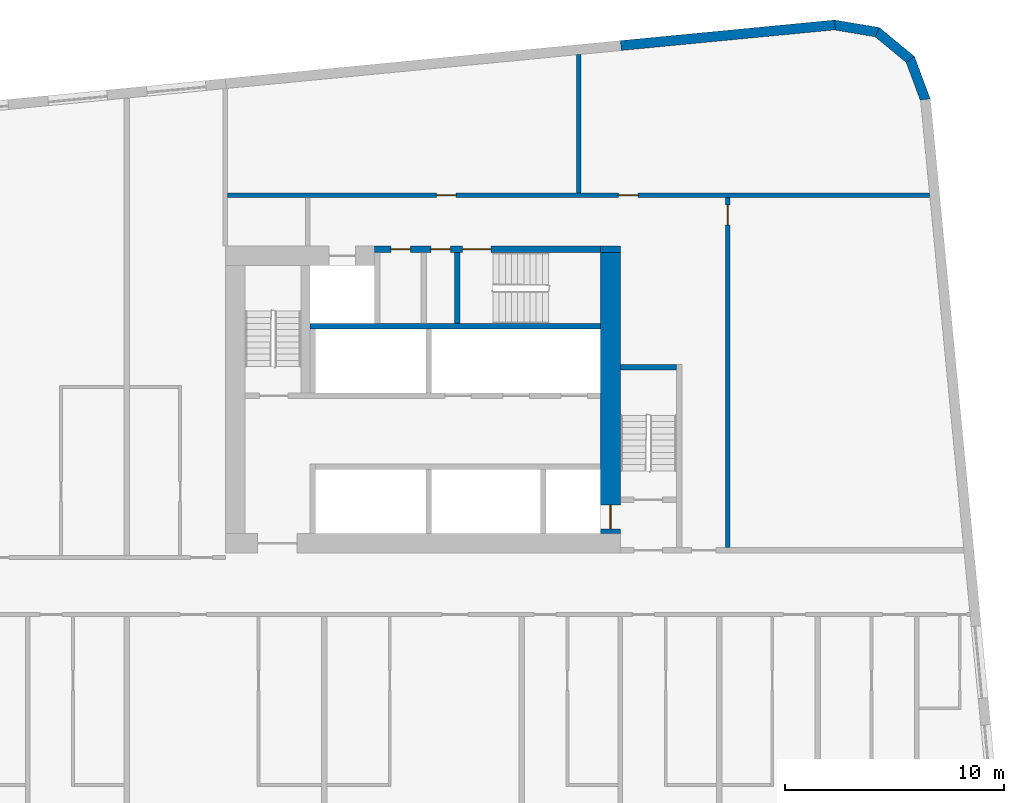
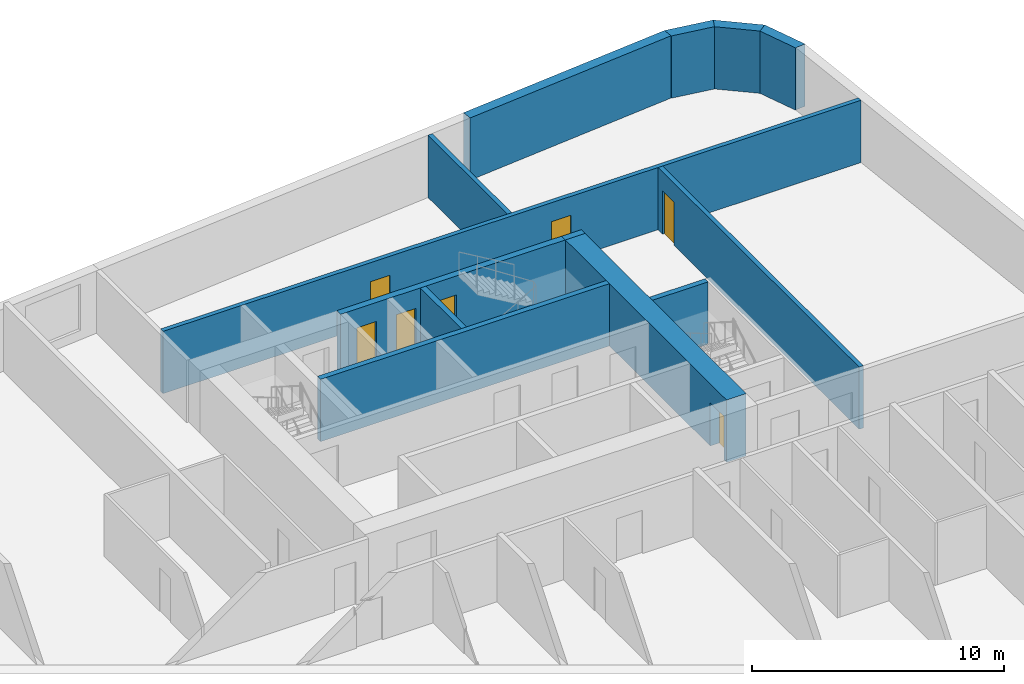
# One storey, part 8 of 12: 13 walls, 7 doors, 7 openings.
"""IFC4 building model written with IfcOpenShell, lengths in metres."""

from ifc_helpers import new_model, si_unit, direction, frame, frame_2d, origin, place, context, subcontext, project, spatial, polyline, rectangle, outline, extrude, material, layer, layer_set, type_object, element, fill, save


model = new_model("IFC4")

# Units and contexts
model_context = context("Model", 3, precision=1e-05, world=origin(), true_north=direction((0.0, 1.0)))
body_context = subcontext(model_context, "Body", "Model", "MODEL_VIEW")
ifc_project = project(units=[si_unit("LENGTHUNIT", "METRE"), si_unit("AREAUNIT", "SQUARE_METRE"), si_unit("VOLUMEUNIT", "CUBIC_METRE"), si_unit("PLANEANGLEUNIT", "RADIAN"), si_unit("MASSUNIT", "GRAM", prefix="KILO")], contexts=[model_context])

# Site, building, storey
site_placement = place(None, origin())
site = spatial("IfcSite", under=ifc_project, at=site_placement, CompositionType="ELEMENT")
building_placement = place(site_placement, origin())
building = spatial("IfcBuilding", under=site, at=building_placement, Name="Kajstack Hotel Tower", CompositionType="ELEMENT")
storey_placement = place(building_placement, frame((0.0, 0.0, 133.89990234375)))
storey = spatial("IfcBuildingStorey", under=building, at=storey_placement, Name="L30", CompositionType="ELEMENT", Elevation=133.89990234375)

# Wall
ifc_material_1 = material(Name="Concrete C60/75", Category="concrete")
ifc_layer_1 = layer(ifc_material_1, 0.89990234375)
ifc_layer_set_1 = layer_set([ifc_layer_1], Name="Core wall 900")
wall_type_1 = type_object("IfcWallType", Name="Core wall 900", PredefinedType="SHEAR", material=ifc_layer_set_1)
wall_1_placement = place(storey_placement, frame((30.60009765625, 15.35009765625, 0.0), z_axis=(0.0, 0.0, 1.0), x_axis=(1.0, 0.0, 0.0)))
element("IfcWall", 1, at=wall_1_placement, inside=storey, type_object=wall_type_1, Name="Core wall E RSW", PredefinedType="SHEAR", context=body_context, shape_type="SweptSolid", body=[
    extrude(rectangle(XDim=0.89990234375, YDim=0.300048828125, at=frame_2d((0.449951171875, 0.0))), origin(), (0.0, 0.0, 1.0), 3.02001953125),
])

# Wall, opening, door
wall_2_placement = place(storey_placement, frame((31.050048828125, 2.39990234375, 0.0), z_axis=(0.0, 0.0, 1.0), x_axis=(0.0, 1.0, 0.0)))
wall_2 = element("IfcWall", 2, at=wall_2_placement, inside=storey, type_object=wall_type_1, Name="Core wall E RW", PredefinedType="SHEAR", context=body_context, shape_type="SweptSolid", body=[
    extrude(rectangle(XDim=12.800048828125, YDim=0.89990234375, at=frame_2d((6.39990234375, 0.0))), origin(), (0.0, 0.0, 1.0), 3.02001953125),
])
opening_1_placement = place(wall_2_placement, frame((0.199951171875, 0.0, 0.0)))
opening_1 = element("IfcOpeningElement", 3, at=opening_1_placement, cuts=wall_2, Name="Opening LD-FF2", PredefinedType="OPENING", context=body_context, shape_type="SweptSolid", body=[
    extrude(rectangle(XDim=1.10009765625, YDim=2.10009765625, at=frame_2d((0.550048828125, 1.050048828125))), frame((0.0, 0.4599609375, 0.0), z_axis=(0.0, -1.0, 0.0), x_axis=(1.0, 0.0, 0.0)), (0.0, 0.0, 1.0), 0.919921875),
])
ifc_material_2 = material(Name="Stainless steel", Category="steel")
door_type_1 = type_object("IfcDoorType", Name="Fire-fighting lift landing door 1100", OperationType="SLIDING_TO_LEFT", PredefinedType="DOOR", material=ifc_material_2)
door_1_placement = place(opening_1_placement, origin())
door_1 = element("IfcDoor", 4, at=door_1_placement, inside=storey, type_object=door_type_1, Name="Landing door FF2", OperationType="SLIDING_TO_LEFT", OverallHeight=2.10009765625, OverallWidth=1.10009765625, PredefinedType="DOOR", context=body_context, shape_type="SweptSolid", body=[
    extrude(rectangle(XDim=1.10009765625, YDim=2.10009765625, at=frame_2d((0.550048828125, 1.050048828125))), frame((0.0, 0.02490234375, 0.0), z_axis=(0.0, -1.0, 0.0), x_axis=(1.0, 0.0, 0.0)), (0.0, 0.0, 1.0), 0.050048828125),
])
fill(opening_1, door_1)

# Walls
ifc_material_3 = material(Name="Terracotta-faced brick masonry", Category="masonry")
ifc_layer_2 = layer(ifc_material_3, 0.449951171875)
ifc_layer_set_2 = layer_set([ifc_layer_2], Name="EW-TERRA")
wall_type_2 = type_object("IfcWallType", Name="EW-TERRA", PredefinedType="SOLIDWALL", material=ifc_layer_set_2)
wall_3_placement = place(storey_placement, frame((45.41162109375, 22.10986328125, 0.0), z_axis=(0.0, 0.0, 1.0), x_axis=(-0.350192909346, 0.936677599948, 0.0)))
element("IfcWall", 5, at=wall_3_placement, inside=storey, type_object=wall_type_2, Name="E-wall-L30-09-00", PredefinedType="SOLIDWALL", context=body_context, shape_type="SweptSolid", body=[
    extrude(outline(polyline([(0.0, -0.22509765625), (2.070556640625, -0.22509765625), (1.949951171875, 0.224853515625), (0.12060546875, 0.224853515625), (0.0, -0.22509765625)])), origin(), (0.0, 0.0, 1.0), 3.02001953125),
])
wall_4_placement = place(storey_placement, frame((44.754150390625, 23.95458984375, 0.0), z_axis=(0.0, 0.0, 1.0), x_axis=(-0.771651049663, 0.636046112757, 0.0)))
element("IfcWall", 6, at=wall_4_placement, inside=storey, type_object=wall_type_2, Name="E-wall-L30-10-00", PredefinedType="SOLIDWALL", context=body_context, shape_type="SweptSolid", body=[
    extrude(outline(polyline([(0.0, -0.22509765625), (2.070556640625, -0.22509765625), (1.949951171875, 0.224853515625), (0.12060546875, 0.22509765625), (0.0, -0.22509765625)])), origin(), (0.0, 0.0, 1.0), 3.02001953125),
])
wall_5_placement = place(storey_placement, frame((43.262451171875, 25.223388671875, 0.0), z_axis=(0.0, 0.0, 1.0), x_axis=(-0.986298144721, 0.164972633245, 0.0)))
element("IfcWall", 7, at=wall_5_placement, inside=storey, type_object=wall_type_2, Name="E-wall-L30-11-00", PredefinedType="SOLIDWALL", context=body_context, shape_type="SweptSolid", body=[
    extrude(outline(polyline([(0.0, -0.224853515625), (2.070556640625, -0.22509765625), (1.949951171875, 0.22509765625), (0.12060546875, 0.22509765625), (0.0, -0.224853515625)])), origin(), (0.0, 0.0, 1.0), 3.02001953125),
])
wall_6_placement = place(storey_placement, frame((41.279052734375, 25.56298828125, 0.0), z_axis=(0.0, 0.0, 1.0), x_axis=(-0.995394735506, -0.095860943703, 0.0)))
element("IfcWall", 8, at=wall_6_placement, inside=storey, type_object=wall_type_2, Name="E-wall-L30-12-00", PredefinedType="SOLIDWALL", context=body_context, shape_type="SweptSolid", body=[
    extrude(rectangle(XDim=9.802734375, YDim=0.449951171875, at=frame_2d((4.9013671875, 0.0))), origin(), (0.0, 0.0, 1.0), 3.02001953125),
])

# Wall, opening, door
ifc_material_4 = material(Name="Gypsum board on steel studs, mineral wool", Category="steel")
ifc_layer_3 = layer(ifc_material_4, 0.199951171875)
ifc_layer_set_3 = layer_set([ifc_layer_3], Name="Service partition 200")
wall_type_3 = type_object("IfcWallType", Name="Service partition 200", PredefinedType="PARTITIONING", material=ifc_layer_set_3)
wall_7_placement = place(storey_placement, frame((36.39990234375, 1.75, 0.0), z_axis=(0.0, 0.0, 1.0), x_axis=(0.0, 1.0, 0.0)))
wall_7 = element("IfcWall", 9, at=wall_7_placement, inside=storey, type_object=wall_type_3, Name="Partition E WRE", PredefinedType="PARTITIONING", context=body_context, shape_type="SweptSolid", body=[
    extrude(rectangle(XDim=15.949951171875, YDim=0.199951171875, at=frame_2d((7.97509765625, 0.0))), origin(), (0.0, 0.0, 1.0), 3.02001953125),
])
opening_2_placement = place(wall_7_placement, frame((14.699951171875, 0.0, 0.0)))
opening_2 = element("IfcOpeningElement", 10, at=opening_2_placement, cuts=wall_7, Name="Opening 30E16", PredefinedType="OPENING", context=body_context, shape_type="SweptSolid", body=[
    extrude(rectangle(XDim=0.89990234375, YDim=2.10009765625, at=frame_2d((0.449951171875, 1.050048828125))), frame((0.0, 0.10986328125, 0.0), z_axis=(0.0, -1.0, 0.0), x_axis=(1.0, 0.0, 0.0)), (0.0, 0.0, 1.0), 0.219970703125),
])
ifc_material_5 = material(Name="Timber leaf, fire-rated", Category="wood")
door_type_2 = type_object("IfcDoorType", Name="Service door 900", OperationType="SINGLE_SWING_LEFT", PredefinedType="DOOR", material=ifc_material_5)
door_2_placement = place(opening_2_placement, origin())
door_2 = element("IfcDoor", 11, at=door_2_placement, inside=storey, type_object=door_type_2, Name="Door 30E16", OperationType="SINGLE_SWING_RIGHT", OverallHeight=2.10009765625, OverallWidth=0.89990234375, PredefinedType="DOOR", context=body_context, shape_type="SweptSolid", body=[
    extrude(rectangle(XDim=0.89990234375, YDim=2.10009765625, at=frame_2d((0.449951171875, 1.050048828125))), frame((0.0, 0.02490234375, 0.0), z_axis=(0.0, -1.0, 0.0), x_axis=(1.0, 0.0, 0.0)), (0.0, 0.0, 1.0), 0.050048828125),
])
fill(opening_2, door_2)

# Wall, openings, doors
wall_8_placement = place(storey_placement, frame((13.60009765625, 17.800048828125, 0.0), z_axis=(0.0, 0.0, 1.0), x_axis=(1.0, 0.0, 0.0)))
wall_8 = element("IfcWall", 12, at=wall_8_placement, inside=storey, type_object=wall_type_3, Name="Partition E SLN", PredefinedType="PARTITIONING", context=body_context, shape_type="SweptSolid", body=[
    extrude(rectangle(XDim=31.992919921875, YDim=0.199951171875, at=frame_2d((15.99658203125, 0.0))), origin(), (0.0, 0.0, 1.0), 3.02001953125),
])
opening_3_placement = place(wall_8_placement, frame((17.8125, 0.0, 0.0)))
opening_3 = element("IfcOpeningElement", 13, at=opening_3_placement, cuts=wall_8, Name="Opening 30E14", PredefinedType="OPENING", context=body_context, shape_type="SweptSolid", body=[
    extrude(rectangle(XDim=0.89990234375, YDim=2.10009765625, at=frame_2d((0.449951171875, 1.050048828125))), frame((0.0, 0.10986328125, 0.0), z_axis=(0.0, -1.0, 0.0), x_axis=(1.0, 0.0, 0.0)), (0.0, 0.0, 1.0), 0.219970703125),
])
opening_4_placement = place(wall_8_placement, frame((9.512451171875, 0.0, 0.0)))
opening_4 = element("IfcOpeningElement", 14, at=opening_4_placement, cuts=wall_8, Name="Opening 30E15", PredefinedType="OPENING", context=body_context, shape_type="SweptSolid", body=[
    extrude(rectangle(XDim=0.89990234375, YDim=2.10009765625, at=frame_2d((0.449951171875, 1.050048828125))), frame((0.0, 0.10986328125, 0.0), z_axis=(0.0, -1.0, 0.0), x_axis=(1.0, 0.0, 0.0)), (0.0, 0.0, 1.0), 0.219970703125),
])
door_3_placement = place(opening_3_placement, origin())
door_3 = element("IfcDoor", 15, at=door_3_placement, inside=storey, type_object=door_type_2, Name="Door 30E14", OperationType="SINGLE_SWING_LEFT", OverallHeight=2.10009765625, OverallWidth=0.89990234375, PredefinedType="DOOR", context=body_context, shape_type="SweptSolid", body=[
    extrude(rectangle(XDim=0.89990234375, YDim=2.10009765625, at=frame_2d((0.449951171875, 1.050048828125))), frame((0.0, 0.02490234375, 0.0), z_axis=(0.0, -1.0, 0.0), x_axis=(1.0, 0.0, 0.0)), (0.0, 0.0, 1.0), 0.050048828125),
])
fill(opening_3, door_3)
door_4_placement = place(opening_4_placement, origin())
door_4 = element("IfcDoor", 16, at=door_4_placement, inside=storey, type_object=door_type_2, Name="Door 30E15", OperationType="SINGLE_SWING_LEFT", OverallHeight=2.10009765625, OverallWidth=0.89990234375, PredefinedType="DOOR", context=body_context, shape_type="SweptSolid", body=[
    extrude(rectangle(XDim=0.89990234375, YDim=2.10009765625, at=frame_2d((0.449951171875, 1.050048828125))), frame((0.0, 0.02490234375, 0.0), z_axis=(0.0, -1.0, 0.0), x_axis=(1.0, 0.0, 0.0)), (0.0, 0.0, 1.0), 0.050048828125),
])
fill(opening_4, door_4)

# Wall
wall_9_placement = place(storey_placement, frame((29.60009765625, 17.89990234375, 0.0), z_axis=(0.0, 0.0, 1.0), x_axis=(0.0, 1.0, 0.0)))
element("IfcWall", 17, at=wall_9_placement, inside=storey, type_object=wall_type_3, Name="Partition E SLP0", PredefinedType="PARTITIONING", context=body_context, shape_type="SweptSolid", body=[
    extrude(rectangle(XDim=6.3134765625, YDim=0.199951171875, at=frame_2d((3.15673828125, 0.0))), origin(), (0.0, 0.0, 1.0), 3.02001953125),
])

# Wall, openings, doors
ifc_material_6 = material(Name="Concrete C50/60", Category="concrete")
ifc_layer_4 = layer(ifc_material_6, 0.25)
ifc_layer_set_4 = layer_set([ifc_layer_4], Name="Shaft wall 250")
wall_type_4 = type_object("IfcWallType", Name="Shaft wall 250", PredefinedType="SHEAR", material=ifc_layer_set_4)
wall_10_placement = place(storey_placement, frame((20.300048828125, 15.35009765625, 0.0), z_axis=(0.0, 0.0, 1.0), x_axis=(1.0, 0.0, 0.0)))
wall_10 = element("IfcWall", 18, at=wall_10_placement, inside=storey, type_object=wall_type_4, Name="Core wall E RSS", PredefinedType="SHEAR", context=body_context, shape_type="SweptSolid", body=[
    extrude(rectangle(XDim=10.300048828125, YDim=0.300048828125, at=frame_2d((5.14990234375, 0.0))), origin(), (0.0, 0.0, 1.0), 3.02001953125),
])
opening_5_placement = place(wall_10_placement, frame((4.0, 0.0, 0.0)))
opening_5 = element("IfcOpeningElement", 19, at=opening_5_placement, cuts=wall_10, Name="Opening 30E11", PredefinedType="OPENING", context=body_context, shape_type="SweptSolid", body=[
    extrude(rectangle(XDim=1.300048828125, YDim=2.10009765625, at=frame_2d((0.64990234375, 1.050048828125))), frame((0.0, 0.159912109375, 0.0), z_axis=(0.0, -1.0, 0.0), x_axis=(1.0, 0.0, 0.0)), (0.0, 0.0, 1.0), 0.320068359375),
])
opening_6_placement = place(wall_10_placement, frame((2.5625, 0.0, 0.0)))
opening_6 = element("IfcOpeningElement", 20, at=opening_6_placement, cuts=wall_10, Name="Opening 30E12", PredefinedType="OPENING", context=body_context, shape_type="SweptSolid", body=[
    extrude(rectangle(XDim=0.89990234375, YDim=2.10009765625, at=frame_2d((0.449951171875, 1.050048828125))), frame((0.0, 0.159912109375, 0.0), z_axis=(0.0, -1.0, 0.0), x_axis=(1.0, 0.0, 0.0)), (0.0, 0.0, 1.0), 0.320068359375),
])
opening_7_placement = place(wall_10_placement, frame((0.737548828125, 0.0, 0.0)))
opening_7 = element("IfcOpeningElement", 21, at=opening_7_placement, cuts=wall_10, Name="Opening 30E13", PredefinedType="OPENING", context=body_context, shape_type="SweptSolid", body=[
    extrude(rectangle(XDim=0.89990234375, YDim=2.10009765625, at=frame_2d((0.449951171875, 1.050048828125))), frame((0.0, 0.159912109375, 0.0), z_axis=(0.0, -1.0, 0.0), x_axis=(1.0, 0.0, 0.0)), (0.0, 0.0, 1.0), 0.320068359375),
])
ifc_material_7 = material(Name="Steel leaf, fire-rated", Category="steel")
door_type_3 = type_object("IfcDoorType", Name="Riser door 900", OperationType="SINGLE_SWING_LEFT", PredefinedType="DOOR", material=ifc_material_7)
door_5_placement = place(opening_7_placement, origin())
door_5 = element("IfcDoor", 22, at=door_5_placement, inside=storey, type_object=door_type_3, Name="Door 30E13", OperationType="SINGLE_SWING_RIGHT", OverallHeight=2.10009765625, OverallWidth=0.89990234375, PredefinedType="DOOR", context=body_context, shape_type="SweptSolid", body=[
    extrude(rectangle(XDim=0.89990234375, YDim=2.10009765625, at=frame_2d((0.449951171875, 1.050048828125))), frame((0.0, 0.02490234375, 0.0), z_axis=(0.0, -1.0, 0.0), x_axis=(1.0, 0.0, 0.0)), (0.0, 0.0, 1.0), 0.050048828125),
])
fill(opening_7, door_5)
door_6_placement = place(opening_6_placement, origin())
door_6 = element("IfcDoor", 23, at=door_6_placement, inside=storey, type_object=door_type_2, Name="Door 30E12", OperationType="SINGLE_SWING_RIGHT", OverallHeight=2.10009765625, OverallWidth=0.89990234375, PredefinedType="DOOR", context=body_context, shape_type="SweptSolid", body=[
    extrude(rectangle(XDim=0.89990234375, YDim=2.10009765625, at=frame_2d((0.449951171875, 1.050048828125))), frame((0.0, 0.02490234375, 0.0), z_axis=(0.0, -1.0, 0.0), x_axis=(1.0, 0.0, 0.0)), (0.0, 0.0, 1.0), 0.050048828125),
])
fill(opening_6, door_6)
door_type_4 = type_object("IfcDoorType", Name="Stair door 1300", OperationType="SINGLE_SWING_LEFT", PredefinedType="DOOR", material=ifc_material_7)
door_7_placement = place(opening_5_placement, origin())
door_7 = element("IfcDoor", 24, at=door_7_placement, inside=storey, type_object=door_type_4, Name="Door 30E11", OperationType="SINGLE_SWING_LEFT", OverallHeight=2.10009765625, OverallWidth=1.300048828125, PredefinedType="DOOR", context=body_context, shape_type="SweptSolid", body=[
    extrude(rectangle(XDim=1.300048828125, YDim=2.10009765625, at=frame_2d((0.64990234375, 1.050048828125))), frame((0.0, 0.02490234375, 0.0), z_axis=(0.0, -1.0, 0.0), x_axis=(1.0, 0.0, 0.0)), (0.0, 0.0, 1.0), 0.050048828125),
])
fill(opening_5, door_7)

# Walls
wall_11_placement = place(storey_placement, frame((17.35009765625, 11.824951171875, 0.0), z_axis=(0.0, 0.0, 1.0), x_axis=(1.0, 0.0, 0.0)))
element("IfcWall", 25, at=wall_11_placement, inside=storey, type_object=wall_type_4, Name="Core wall E RB", PredefinedType="SHEAR", context=body_context, shape_type="SweptSolid", body=[
    extrude(rectangle(XDim=13.25, YDim=0.25, at=frame_2d((6.625, 0.0))), origin(), (0.0, 0.0, 1.0), 3.02001953125),
])
ifc_material_8 = material(Name="Concrete C40/50", Category="concrete")
ifc_layer_5 = layer(ifc_material_8, 0.25)
ifc_layer_set_5 = layer_set([ifc_layer_5], Name="Stair enclosure wall 250")
wall_type_5 = type_object("IfcWallType", Name="Stair enclosure wall 250", PredefinedType="SHEAR", material=ifc_layer_set_5)
wall_12_placement = place(storey_placement, frame((31.5, 9.97509765625, 0.0), z_axis=(0.0, 0.0, 1.0), x_axis=(1.0, 0.0, 0.0)))
element("IfcWall", 26, at=wall_12_placement, inside=storey, type_object=wall_type_5, Name="Core wall E W1S", PredefinedType="SHEAR", context=body_context, shape_type="SweptSolid", body=[
    extrude(rectangle(XDim=2.550048828125, YDim=0.25, at=frame_2d((1.27490234375, 0.0))), origin(), (0.0, 0.0, 1.0), 3.02001953125),
])
ifc_layer_6 = layer(ifc_material_6, 0.35009765625)
ifc_layer_set_6 = layer_set([ifc_layer_6], Name="Stair enclosure wall 350")
wall_type_6 = type_object("IfcWallType", Name="Stair enclosure wall 350", PredefinedType="SHEAR", material=ifc_layer_set_6)
wall_13_placement = place(storey_placement, frame((24.074951171875, 11.949951171875, 0.0), z_axis=(0.0, 0.0, 1.0), x_axis=(0.0, 1.0, 0.0)))
element("IfcWall", 27, at=wall_13_placement, inside=storey, type_object=wall_type_6, Name="Core wall E W3E", PredefinedType="SHEAR", context=body_context, shape_type="SweptSolid", body=[
    extrude(rectangle(XDim=3.25, YDim=0.25, at=frame_2d((1.625, 0.0))), origin(), (0.0, 0.0, 1.0), 3.02001953125),
])

save(model, "model.ifc")
